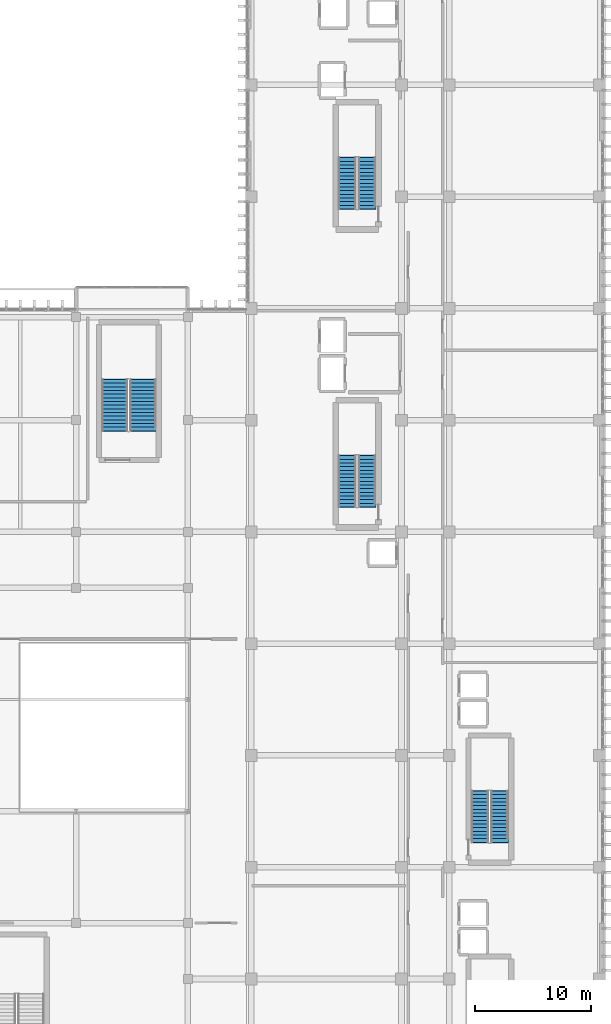
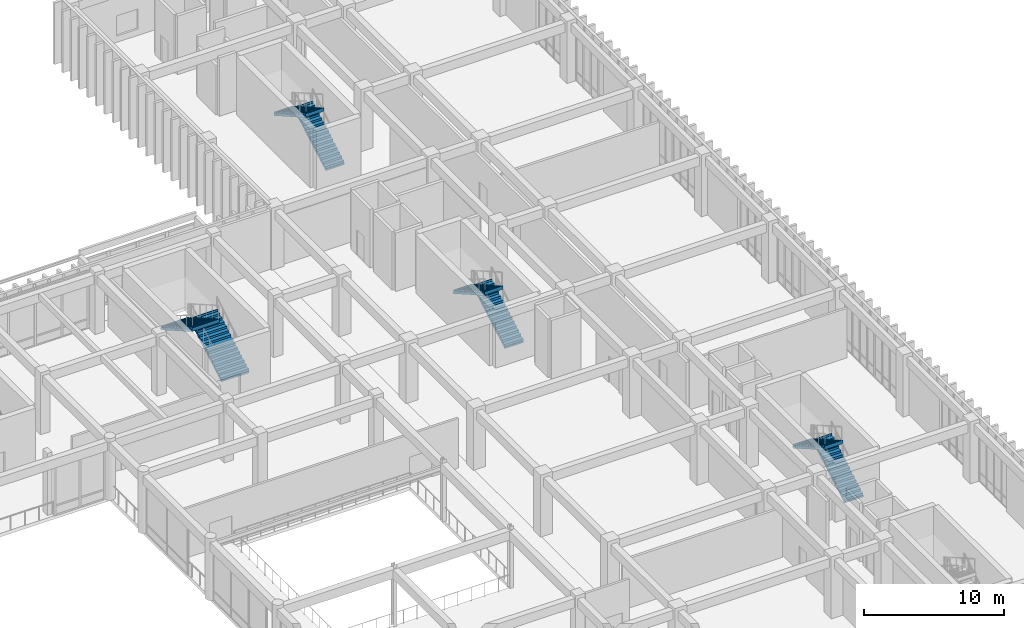
# One storey, part 111 of 134: 8 stair flights, 4 elements without a shape of their own.
"""IFC4 building model written with IfcOpenShell, lengths in metres."""

import ifcopenshell
import ifcopenshell.guid

model = None  # the IFC model being written
_history = None  # IfcOwnerHistory: only IFC2X3 demands one
_inside = {}  # id of a spatial element -> (the spatial element, [elements in it])
_under = {}  # id of a project, library or spatial element -> (it, [spatial elements below it])
_declared = {}  # id of a project -> (the project, [libraries it declares])
_typed = {}  # id of a type object -> (the type object, [elements of that type])
_made_of = {}  # id of a material, layer set ... -> (it, [elements and type objects made of it])


def new_model(schema):
    """Start an empty IFC model of exactly this schema.

    Asked for "IFC4X3", IfcOpenShell would pick the latest addendum, in which some entities
    have other attributes; the version numbers below select the first issue.
    IFC2X3 requires an IfcOwnerHistory on every rooted entity: one is made here for all.
    """
    global model, _history
    if schema == "IFC4X3":
        model = ifcopenshell.file(schema_version=(4, 3, 0, 0))
    else:
        model = ifcopenshell.file(schema=schema)
    _inside.clear()
    _under.clear()
    _declared.clear()
    _typed.clear()
    _made_of.clear()
    _history = None
    if model.schema == "IFC2X3":
        org = make("IfcOrganization", Name="unknown")
        user = make(
            "IfcPersonAndOrganization",
            ThePerson=make("IfcPerson", FamilyName="unknown"),
            TheOrganization=org,
        )
        app = make(
            "IfcApplication",
            ApplicationDeveloper=org,
            Version="unknown",
            ApplicationFullName="unknown",
            ApplicationIdentifier="unknown",
        )
        _history = make(
            "IfcOwnerHistory",
            OwningUser=user,
            OwningApplication=app,
            ChangeAction="ADDED",
            CreationDate=0,
        )
    return model


def make(cls, **values):
    """One entity of the class cls with the attributes given. An attribute that is None is left unset."""
    return model.create_entity(
        cls, **{name: value for name, value in values.items() if value is not None}
    )


def rooted(cls, **values):
    """An entity with a GlobalId (a new one), such as an element, a storey or a relation."""
    return make(cls, GlobalId=ifcopenshell.guid.new(), OwnerHistory=_history, **values)


def si_unit(unit_type, name, prefix=None):
    """IfcSIUnit, for example si_unit("LENGTHUNIT", "METRE", prefix="MILLI")."""
    return make("IfcSIUnit", UnitType=unit_type, Prefix=prefix, Name=name)


def assignment(units):
    """IfcUnitAssignment: the units of a project."""
    return None if units is None else make("IfcUnitAssignment", Units=units)


def point(xyz):
    """IfcCartesianPoint."""
    return None if xyz is None else make("IfcCartesianPoint", Coordinates=xyz)


def direction(xyz):
    """IfcDirection."""
    return None if xyz is None else make("IfcDirection", DirectionRatios=xyz)


def frame(location, z_axis=None, x_axis=None):
    """IfcAxis2Placement3D, a coordinate frame: its origin and axes. An axis left out is left unset."""
    return make(
        "IfcAxis2Placement3D",
        Location=point(location),
        Axis=direction(z_axis),
        RefDirection=direction(x_axis),
    )


def origin():
    """The frame at (0, 0, 0) with its axes left unset."""
    return frame((0.0, 0.0, 0.0))


def place(relative_to, where):
    """IfcLocalPlacement: puts the frame where relative to a parent placement (None: the world)."""
    return make(
        "IfcLocalPlacement", PlacementRelTo=relative_to, RelativePlacement=where
    )


def context(
    kind, dimensions, precision=None, world=None, true_north=None, identifier=None
):
    """IfcGeometricRepresentationContext, for example the 3D "Model" context."""
    return make(
        "IfcGeometricRepresentationContext",
        ContextIdentifier=identifier,
        ContextType=kind,
        CoordinateSpaceDimension=dimensions,
        Precision=precision,
        WorldCoordinateSystem=world,
        TrueNorth=true_north,
    )


def subcontext(parent, identifier, kind, view, scale=None):
    """IfcGeometricRepresentationSubContext, for example "Body" below "Model"."""
    return make(
        "IfcGeometricRepresentationSubContext",
        ContextIdentifier=identifier,
        ContextType=kind,
        ParentContext=parent,
        TargetScale=scale,
        TargetView=view,
    )


def project(units=None, contexts=None):
    """IfcProject with its units and contexts."""
    return rooted(
        "IfcProject",
        Name="project",
        RepresentationContexts=contexts,
        UnitsInContext=assignment(units),
    )


def spatial(cls, under=None, at=None, **own):
    """A site, building, storey or space (cls), placed at a placement, below another one or the project."""
    s = rooted(cls, ObjectPlacement=at, **own)
    if under is not None:
        _under.setdefault(under.id(), (under, []))[1].append(s)
    return s


def polyline(points):
    """IfcPolyline through the points."""
    return make("IfcPolyline", Points=[point(p) for p in points])


def outline(outer, holes=None, kind="AREA"):
    """IfcArbitraryClosedProfileDef: a profile drawn as a closed curve; with holes, ...WithVoids."""
    if holes is None:
        return make("IfcArbitraryClosedProfileDef", ProfileType=kind, OuterCurve=outer)
    return make(
        "IfcArbitraryProfileDefWithVoids",
        ProfileType=kind,
        OuterCurve=outer,
        InnerCurves=holes,
    )


def extrude(swept, where, along, depth):
    """IfcExtrudedAreaSolid: the profile swept, set in the frame where, extruded along a direction by depth."""
    return make(
        "IfcExtrudedAreaSolid",
        SweptArea=swept,
        Position=where,
        ExtrudedDirection=direction(along),
        Depth=depth,
    )


def shape(context_of_items, identifier, shape_type, items):
    """IfcShapeRepresentation: the items that make up one representation, for example the "Body"."""
    return make(
        "IfcShapeRepresentation",
        ContextOfItems=context_of_items,
        RepresentationIdentifier=identifier,
        RepresentationType=shape_type,
        Items=items,
    )


def material(Name=None, Category=None):
    """IfcMaterial."""
    return make("IfcMaterial", Name=Name, Category=Category)


def layer(
    of_material, thickness, ventilated=None, Name=None, Category=None, Priority=None
):
    """IfcMaterialLayer: one layer of a wall or slab, of a material (None: an air gap)."""
    return make(
        "IfcMaterialLayer",
        Material=of_material,
        LayerThickness=thickness,
        IsVentilated=ventilated,
        Name=Name,
        Category=Category,
        Priority=Priority,
    )


def layer_set(layers, Name=None):
    """IfcMaterialLayerSet."""
    return make("IfcMaterialLayerSet", MaterialLayers=layers, LayerSetName=Name)


def made_of(thing, what):
    """Note that an element or type object is made of a material, layer set ...; save() writes the relation."""
    if what is not None:
        _made_of.setdefault(what.id(), (what, []))[1].append(thing)
    return thing


def type_object(cls, material=None, **own):
    """A type object (cls), such as IfcWallType, which elements share."""
    return made_of(rooted(cls, **own), material)


def element(
    cls,
    number,
    at=None,
    inside=None,
    cuts=None,
    type_object=None,
    material=None,
    context=None,
    identifier="Body",
    shape_type=None,
    held_by="IfcProductDefinitionShape",
    body=None,
    shapes=None,
    **own,
):
    """One element of the class cls, such as IfcWall. Its Tag is "e" and its number.

    at: its placement. inside: the storey or other place that contains it. cuts: it is an
    opening in that element (IfcRelVoidsElement). A single representation is given by context,
    identifier, shape_type and body (its items); several are given by shapes. held_by: the class
    of the entity that holds the representations. save() writes the other relations.
    """
    e = rooted(cls, Tag="e%d" % number, ObjectPlacement=at, **own)
    if body is not None:
        shapes = [shape(context, identifier, shape_type, body)]
    if shapes is not None:
        e.Representation = make(held_by, Representations=shapes)
    if inside is not None:
        _inside.setdefault(inside.id(), (inside, []))[1].append(e)
    if cuts is not None:
        rooted(
            "IfcRelVoidsElement", RelatingBuildingElement=cuts, RelatedOpeningElement=e
        )
    if type_object is not None:
        _typed.setdefault(type_object.id(), (type_object, []))[1].append(e)
    return made_of(e, material)


def aggregate(whole, parts):
    """IfcRelAggregates: a whole, such as a stair, and the parts it consists of."""
    return rooted("IfcRelAggregates", RelatingObject=whole, RelatedObjects=parts)


def save(model, path):
    """Write the relations noted so far, then the file.

    IfcRelAggregates (storeys below a building ...), IfcRelContainedInSpatialStructure (elements
    in a storey), IfcRelDefinesByType, IfcRelAssociatesMaterial and IfcRelDeclares: one each for
    every whole, place, type object, material and project.
    """
    for whole, parts in _under.values():
        aggregate(whole, parts)
    for where, things in _inside.values():
        rooted(
            "IfcRelContainedInSpatialStructure",
            RelatedElements=things,
            RelatingStructure=where,
        )
    for kind, things in _typed.values():
        rooted("IfcRelDefinesByType", RelatedObjects=things, RelatingType=kind)
    for what, things in _made_of.values():
        rooted("IfcRelAssociatesMaterial", RelatedObjects=things, RelatingMaterial=what)
    for by, libraries in _declared.values():
        rooted("IfcRelDeclares", RelatingContext=by, RelatedDefinitions=libraries)
    model.write(path)


model = new_model("IFC4")

# Units and contexts
model_context = context("Model", 3, precision=1e-05, world=origin(), true_north=direction((0.0, 1.0)))
body_context = subcontext(model_context, "Body", "Model", "MODEL_VIEW")
ifc_project = project(units=[si_unit("LENGTHUNIT", "METRE"), si_unit("AREAUNIT", "SQUARE_METRE"), si_unit("VOLUMEUNIT", "CUBIC_METRE"), si_unit("PLANEANGLEUNIT", "RADIAN"), si_unit("MASSUNIT", "GRAM", prefix="KILO")], contexts=[model_context])

# Site, building, storey
site_placement = place(None, origin())
site = spatial("IfcSite", under=ifc_project, at=site_placement, CompositionType="ELEMENT")
building_placement = place(site_placement, origin())
building = spatial("IfcBuilding", under=site, at=building_placement, Name="Nakhvara Creek Congress Hotel", CompositionType="ELEMENT")
storey_placement = place(building_placement, frame((0.0, 0.0, 6.0)))
storey = spatial("IfcBuildingStorey", under=building, at=storey_placement, Name="L01", CompositionType="ELEMENT", Elevation=6.0)

# Stair, stair flights
ifc_material = material(Name="Concrete C40/50", Category="concrete")
stair_type_1 = type_object("IfcStairType", Name="ST-CORE-160", PredefinedType="HALF_TURN_STAIR", material=ifc_material)
stair_1_placement = place(storey_placement, origin())
stair_1 = element("IfcStair", 1, at=stair_1_placement, inside=storey, type_object=stair_type_1, Name="L01 Protected Exit Stair ST01", PredefinedType="HALF_TURN_STAIR")
ifc_layer_1 = layer(ifc_material, 0.18994140625)
ifc_layer_set_1 = layer_set([ifc_layer_1], Name="Concrete C40/50")
stair_flight_type_1 = type_object("IfcStairFlightType", Name="SFL-RC-160", PredefinedType="STRAIGHT", material=ifc_layer_set_1)
stair_flight_1_placement = place(storey_placement, frame((159.3798828125, 78.93994140625, 0.0), z_axis=(0.0, 0.0, 1.0), x_axis=(0.0, 1.0, 0.0)))
stair_flight_1 = element("IfcStairFlight", 2, at=stair_flight_1_placement, type_object=stair_flight_type_1, Name="ST01 flight 1", NumberOfRisers=15, NumberOfTreads=14, PredefinedType="STRAIGHT", RiserHeight=0.18, TreadLength=0.315, context=body_context, shape_type="SweptSolid", body=[
    extrude(outline(polyline([(-0.048095703125, 0.0), (0.0, 0.0), (0.0, 0.179931640625), (0.31494140625, 0.179931640625), (0.31494140625, 0.360107421875), (0.6298828125, 0.360107421875), (0.6298828125, 0.5400390625), (0.945068359375, 0.5400390625), (0.945068359375, 0.719970703125), (1.260009765625, 0.719970703125), (1.260009765625, 0.89990234375), (1.574951171875, 0.89990234375), (1.574951171875, 1.080078125), (1.889892578125, 1.080078125), (1.889892578125, 1.260009765625), (2.205078125, 1.260009765625), (2.205078125, 1.43994140625), (2.52001953125, 1.43994140625), (2.52001953125, 1.6201171875), (2.8349609375, 1.6201171875), (2.8349609375, 1.800048828125), (3.14990234375, 1.800048828125), (3.14990234375, 1.97998046875), (3.465087890625, 1.97998046875), (3.465087890625, 2.159912109375), (3.780029296875, 2.159912109375), (3.780029296875, 2.340087890625), (4.094970703125, 2.340087890625), (4.094970703125, 2.52001953125), (4.409912109375, 2.52001953125), (4.409912109375, 2.699951171875), (4.4580078125, 2.699951171875), (4.4580078125, 2.550048828125), (4.409912109375, 2.347412109375), (0.039794921875, -0.14990234375), (-0.048095703125, -0.14990234375), (-0.048095703125, 0.0)])), frame((0.0, 0.77001953125, 0.0), z_axis=(0.0, -1.0, 0.0), x_axis=(1.0, 0.0, 0.0)), (0.0, 0.0, 1.0), 1.5400390625),
])
stair_flight_2_placement = place(storey_placement, frame((157.68994140625, 83.35009765625, 2.699951171875), z_axis=(0.0, 0.0, 1.0), x_axis=(0.0, -1.0, 0.0)))
stair_flight_2 = element("IfcStairFlight", 3, at=stair_flight_2_placement, type_object=stair_flight_type_1, Name="ST01 flight 2", NumberOfRisers=15, NumberOfTreads=14, PredefinedType="STRAIGHT", RiserHeight=0.18, TreadLength=0.315, context=body_context, shape_type="SweptSolid", body=[
    extrude(outline(polyline([(-0.048095703125, 0.0), (0.0, 0.0), (0.0, 0.179931640625), (0.31494140625, 0.179931640625), (0.31494140625, 0.360107421875), (0.6298828125, 0.360107421875), (0.6298828125, 0.5400390625), (0.945068359375, 0.5400390625), (0.945068359375, 0.719970703125), (1.260009765625, 0.719970703125), (1.260009765625, 0.89990234375), (1.574951171875, 0.89990234375), (1.574951171875, 1.080078125), (1.889892578125, 1.080078125), (1.889892578125, 1.260009765625), (2.205078125, 1.260009765625), (2.205078125, 1.43994140625), (2.52001953125, 1.43994140625), (2.52001953125, 1.6201171875), (2.8349609375, 1.6201171875), (2.8349609375, 1.800048828125), (3.14990234375, 1.800048828125), (3.14990234375, 1.97998046875), (3.465087890625, 1.97998046875), (3.465087890625, 2.159912109375), (3.780029296875, 2.159912109375), (3.780029296875, 2.340087890625), (4.094970703125, 2.340087890625), (4.094970703125, 2.52001953125), (4.409912109375, 2.52001953125), (4.409912109375, 2.699951171875), (4.4580078125, 2.699951171875), (4.4580078125, 2.550048828125), (4.409912109375, 2.347412109375), (0.039794921875, -0.14990234375), (-0.048095703125, -0.14990234375), (-0.048095703125, 0.0)])), frame((0.0, 0.77001953125, 0.0), z_axis=(0.0, -1.0, 0.0), x_axis=(1.0, 0.0, 0.0)), (0.0, 0.0, 1.0), 1.5400390625),
])
aggregate(stair_1, [stair_flight_1, stair_flight_2])

stair_2_placement = place(storey_placement, origin())
stair_2 = element("IfcStair", 4, at=stair_2_placement, inside=storey, type_object=stair_type_1, Name="L01 Protected Exit Stair ST02", PredefinedType="HALF_TURN_STAIR")
stair_flight_3_placement = place(storey_placement, frame((159.3798828125, 104.5400390625, 0.0), z_axis=(0.0, 0.0, 1.0), x_axis=(0.0, 1.0, 0.0)))
stair_flight_3 = element("IfcStairFlight", 5, at=stair_flight_3_placement, type_object=stair_flight_type_1, Name="ST02 flight 1", NumberOfRisers=15, NumberOfTreads=14, PredefinedType="STRAIGHT", RiserHeight=0.18, TreadLength=0.315, context=body_context, shape_type="SweptSolid", body=[
    extrude(outline(polyline([(-0.048095703125, 0.0), (0.0, 0.0), (0.0, 0.179931640625), (0.31494140625, 0.179931640625), (0.31494140625, 0.360107421875), (0.6298828125, 0.360107421875), (0.6298828125, 0.5400390625), (0.945068359375, 0.5400390625), (0.945068359375, 0.719970703125), (1.260009765625, 0.719970703125), (1.260009765625, 0.89990234375), (1.574951171875, 0.89990234375), (1.574951171875, 1.080078125), (1.889892578125, 1.080078125), (1.889892578125, 1.260009765625), (2.205078125, 1.260009765625), (2.205078125, 1.43994140625), (2.52001953125, 1.43994140625), (2.52001953125, 1.6201171875), (2.8349609375, 1.6201171875), (2.8349609375, 1.800048828125), (3.14990234375, 1.800048828125), (3.14990234375, 1.97998046875), (3.465087890625, 1.97998046875), (3.465087890625, 2.159912109375), (3.780029296875, 2.159912109375), (3.780029296875, 2.340087890625), (4.094970703125, 2.340087890625), (4.094970703125, 2.52001953125), (4.409912109375, 2.52001953125), (4.409912109375, 2.699951171875), (4.4580078125, 2.699951171875), (4.4580078125, 2.550048828125), (4.409912109375, 2.347412109375), (0.039794921875, -0.14990234375), (-0.048095703125, -0.14990234375), (-0.048095703125, 0.0)])), frame((0.0, 0.77001953125, 0.0), z_axis=(0.0, -1.0, 0.0), x_axis=(1.0, 0.0, 0.0)), (0.0, 0.0, 1.0), 1.5400390625),
])
stair_flight_4_placement = place(storey_placement, frame((157.68994140625, 108.949951171875, 2.699951171875), z_axis=(0.0, 0.0, 1.0), x_axis=(0.0, -1.0, 0.0)))
stair_flight_4 = element("IfcStairFlight", 6, at=stair_flight_4_placement, type_object=stair_flight_type_1, Name="ST02 flight 2", NumberOfRisers=15, NumberOfTreads=14, PredefinedType="STRAIGHT", RiserHeight=0.18, TreadLength=0.315, context=body_context, shape_type="SweptSolid", body=[
    extrude(outline(polyline([(-0.048095703125, 0.0), (0.0, 0.0), (0.0, 0.179931640625), (0.31494140625, 0.179931640625), (0.31494140625, 0.360107421875), (0.6298828125, 0.360107421875), (0.6298828125, 0.5400390625), (0.945068359375, 0.5400390625), (0.945068359375, 0.719970703125), (1.260009765625, 0.719970703125), (1.260009765625, 0.89990234375), (1.574951171875, 0.89990234375), (1.574951171875, 1.080078125), (1.889892578125, 1.080078125), (1.889892578125, 1.260009765625), (2.205078125, 1.260009765625), (2.205078125, 1.43994140625), (2.52001953125, 1.43994140625), (2.52001953125, 1.6201171875), (2.8349609375, 1.6201171875), (2.8349609375, 1.800048828125), (3.14990234375, 1.800048828125), (3.14990234375, 1.97998046875), (3.465087890625, 1.97998046875), (3.465087890625, 2.159912109375), (3.780029296875, 2.159912109375), (3.780029296875, 2.340087890625), (4.094970703125, 2.340087890625), (4.094970703125, 2.52001953125), (4.409912109375, 2.52001953125), (4.409912109375, 2.699951171875), (4.4580078125, 2.699951171875), (4.4580078125, 2.550048828125), (4.409912109375, 2.347412109375), (0.039794921875, -0.14990234375), (-0.048095703125, -0.14990234375), (-0.048095703125, 0.0)])), frame((0.0, 0.77001953125, 0.0), z_axis=(0.0, -1.0, 0.0), x_axis=(1.0, 0.0, 0.0)), (0.0, 0.0, 1.0), 1.5400390625),
])
aggregate(stair_2, [stair_flight_3, stair_flight_4])

stair_3_placement = place(storey_placement, origin())
stair_3 = element("IfcStair", 7, at=stair_3_placement, inside=storey, type_object=stair_type_1, Name="L01 Protected Exit Stair ST04", PredefinedType="HALF_TURN_STAIR")
stair_flight_5_placement = place(storey_placement, frame((170.780029296875, 50.139892578125, 0.0), z_axis=(0.0, 0.0, 1.0), x_axis=(0.0, 1.0, 0.0)))
stair_flight_5 = element("IfcStairFlight", 8, at=stair_flight_5_placement, type_object=stair_flight_type_1, Name="ST04 flight 1", NumberOfRisers=15, NumberOfTreads=14, PredefinedType="STRAIGHT", RiserHeight=0.18, TreadLength=0.315, context=body_context, shape_type="SweptSolid", body=[
    extrude(outline(polyline([(-0.048095703125, 0.0), (0.0, 0.0), (0.0, 0.179931640625), (0.31494140625, 0.179931640625), (0.31494140625, 0.360107421875), (0.6298828125, 0.360107421875), (0.6298828125, 0.5400390625), (0.945068359375, 0.5400390625), (0.945068359375, 0.719970703125), (1.260009765625, 0.719970703125), (1.260009765625, 0.89990234375), (1.574951171875, 0.89990234375), (1.574951171875, 1.080078125), (1.889892578125, 1.080078125), (1.889892578125, 1.260009765625), (2.205078125, 1.260009765625), (2.205078125, 1.43994140625), (2.52001953125, 1.43994140625), (2.52001953125, 1.6201171875), (2.8349609375, 1.6201171875), (2.8349609375, 1.800048828125), (3.14990234375, 1.800048828125), (3.14990234375, 1.97998046875), (3.465087890625, 1.97998046875), (3.465087890625, 2.159912109375), (3.780029296875, 2.159912109375), (3.780029296875, 2.340087890625), (4.094970703125, 2.340087890625), (4.094970703125, 2.52001953125), (4.409912109375, 2.52001953125), (4.409912109375, 2.699951171875), (4.4580078125, 2.699951171875), (4.4580078125, 2.550048828125), (4.409912109375, 2.347412109375), (0.039794921875, -0.14990234375), (-0.048095703125, -0.14990234375), (-0.048095703125, 0.0)])), frame((0.0, 0.77001953125, 0.0), z_axis=(0.0, -1.0, 0.0), x_axis=(1.0, 0.0, 0.0)), (0.0, 0.0, 1.0), 1.5400390625),
])
stair_flight_6_placement = place(storey_placement, frame((169.090087890625, 54.550048828125, 2.699951171875), z_axis=(0.0, 0.0, 1.0), x_axis=(0.0, -1.0, 0.0)))
stair_flight_6 = element("IfcStairFlight", 9, at=stair_flight_6_placement, type_object=stair_flight_type_1, Name="ST04 flight 2", NumberOfRisers=15, NumberOfTreads=14, PredefinedType="STRAIGHT", RiserHeight=0.18, TreadLength=0.315, context=body_context, shape_type="SweptSolid", body=[
    extrude(outline(polyline([(-0.048095703125, 0.0), (0.0, 0.0), (0.0, 0.179931640625), (0.31494140625, 0.179931640625), (0.31494140625, 0.360107421875), (0.6298828125, 0.360107421875), (0.6298828125, 0.5400390625), (0.945068359375, 0.5400390625), (0.945068359375, 0.719970703125), (1.260009765625, 0.719970703125), (1.260009765625, 0.89990234375), (1.574951171875, 0.89990234375), (1.574951171875, 1.080078125), (1.889892578125, 1.080078125), (1.889892578125, 1.260009765625), (2.205078125, 1.260009765625), (2.205078125, 1.43994140625), (2.52001953125, 1.43994140625), (2.52001953125, 1.6201171875), (2.8349609375, 1.6201171875), (2.8349609375, 1.800048828125), (3.14990234375, 1.800048828125), (3.14990234375, 1.97998046875), (3.465087890625, 1.97998046875), (3.465087890625, 2.159912109375), (3.780029296875, 2.159912109375), (3.780029296875, 2.340087890625), (4.094970703125, 2.340087890625), (4.094970703125, 2.52001953125), (4.409912109375, 2.52001953125), (4.409912109375, 2.699951171875), (4.4580078125, 2.699951171875), (4.4580078125, 2.550048828125), (4.409912109375, 2.347412109375), (0.039794921875, -0.14990234375), (-0.048095703125, -0.14990234375), (-0.048095703125, 0.0)])), frame((0.0, 0.77001953125, 0.0), z_axis=(0.0, -1.0, 0.0), x_axis=(1.0, 0.0, 0.0)), (0.0, 0.0, 1.0), 1.5400390625),
])
aggregate(stair_3, [stair_flight_5, stair_flight_6])

stair_type_2 = type_object("IfcStairType", Name="ST-CORE-230", PredefinedType="HALF_TURN_STAIR", material=ifc_material)
stair_4_placement = place(storey_placement, origin())
stair_4 = element("IfcStair", 10, at=stair_4_placement, inside=storey, type_object=stair_type_2, Name="L01 Protected Exit Stair ST10", PredefinedType="HALF_TURN_STAIR")
ifc_layer_2 = layer(ifc_material, 0.219970703125)
ifc_layer_set_2 = layer_set([ifc_layer_2], Name="Concrete C40/50")
stair_flight_type_2 = type_object("IfcStairFlightType", Name="SFL-RC-230", PredefinedType="STRAIGHT", material=ifc_layer_set_2)
stair_flight_7_placement = place(storey_placement, frame((140.139892578125, 85.47998046875, 0.0), z_axis=(0.0, 0.0, 1.0), x_axis=(0.0, 1.0, 0.0)))
stair_flight_7 = element("IfcStairFlight", 11, at=stair_flight_7_placement, type_object=stair_flight_type_2, Name="ST10 flight 1", NumberOfRisers=15, NumberOfTreads=14, PredefinedType="STRAIGHT", RiserHeight=0.18, TreadLength=0.315, context=body_context, shape_type="SweptSolid", body=[
    extrude(outline(polyline([(-0.048095703125, 0.0), (0.0, 0.0), (0.0, 0.179931640625), (0.31494140625, 0.179931640625), (0.31494140625, 0.360107421875), (0.6298828125, 0.360107421875), (0.6298828125, 0.5400390625), (0.945068359375, 0.5400390625), (0.945068359375, 0.719970703125), (1.260009765625, 0.719970703125), (1.260009765625, 0.89990234375), (1.574951171875, 0.89990234375), (1.574951171875, 1.080078125), (1.889892578125, 1.080078125), (1.889892578125, 1.260009765625), (2.205078125, 1.260009765625), (2.205078125, 1.43994140625), (2.52001953125, 1.43994140625), (2.52001953125, 1.6201171875), (2.8349609375, 1.6201171875), (2.8349609375, 1.800048828125), (3.14990234375, 1.800048828125), (3.14990234375, 1.97998046875), (3.465087890625, 1.97998046875), (3.465087890625, 2.159912109375), (3.780029296875, 2.159912109375), (3.780029296875, 2.340087890625), (4.094970703125, 2.340087890625), (4.094970703125, 2.52001953125), (4.409912109375, 2.52001953125), (4.409912109375, 2.699951171875), (4.4580078125, 2.699951171875), (4.4580078125, 2.550048828125), (4.409912109375, 2.347412109375), (0.039794921875, -0.14990234375), (-0.048095703125, -0.14990234375), (-0.048095703125, 0.0)])), frame((0.0, 1.14013671875, 0.0), z_axis=(0.0, -1.0, 0.0), x_axis=(1.0, 0.0, 0.0)), (0.0, 0.0, 1.0), 2.280029296875),
])
stair_flight_8_placement = place(storey_placement, frame((137.7099609375, 89.889892578125, 2.699951171875), z_axis=(0.0, 0.0, 1.0), x_axis=(0.0, -1.0, 0.0)))
stair_flight_8 = element("IfcStairFlight", 12, at=stair_flight_8_placement, type_object=stair_flight_type_2, Name="ST10 flight 2", NumberOfRisers=15, NumberOfTreads=14, PredefinedType="STRAIGHT", RiserHeight=0.18, TreadLength=0.315, context=body_context, shape_type="SweptSolid", body=[
    extrude(outline(polyline([(-0.048095703125, 0.0), (0.0, 0.0), (0.0, 0.179931640625), (0.31494140625, 0.179931640625), (0.31494140625, 0.360107421875), (0.6298828125, 0.360107421875), (0.6298828125, 0.5400390625), (0.945068359375, 0.5400390625), (0.945068359375, 0.719970703125), (1.260009765625, 0.719970703125), (1.260009765625, 0.89990234375), (1.574951171875, 0.89990234375), (1.574951171875, 1.080078125), (1.889892578125, 1.080078125), (1.889892578125, 1.260009765625), (2.205078125, 1.260009765625), (2.205078125, 1.43994140625), (2.52001953125, 1.43994140625), (2.52001953125, 1.6201171875), (2.8349609375, 1.6201171875), (2.8349609375, 1.800048828125), (3.14990234375, 1.800048828125), (3.14990234375, 1.97998046875), (3.465087890625, 1.97998046875), (3.465087890625, 2.159912109375), (3.780029296875, 2.159912109375), (3.780029296875, 2.340087890625), (4.094970703125, 2.340087890625), (4.094970703125, 2.52001953125), (4.409912109375, 2.52001953125), (4.409912109375, 2.699951171875), (4.4580078125, 2.699951171875), (4.4580078125, 2.550048828125), (4.409912109375, 2.347412109375), (0.039794921875, -0.14990234375), (-0.048095703125, -0.14990234375), (-0.048095703125, 0.0)])), frame((0.0, 1.14013671875, 0.0), z_axis=(0.0, -1.0, 0.0), x_axis=(1.0, 0.0, 0.0)), (0.0, 0.0, 1.0), 2.280029296875),
])
aggregate(stair_4, [stair_flight_7, stair_flight_8])

save(model, "model.ifc")
